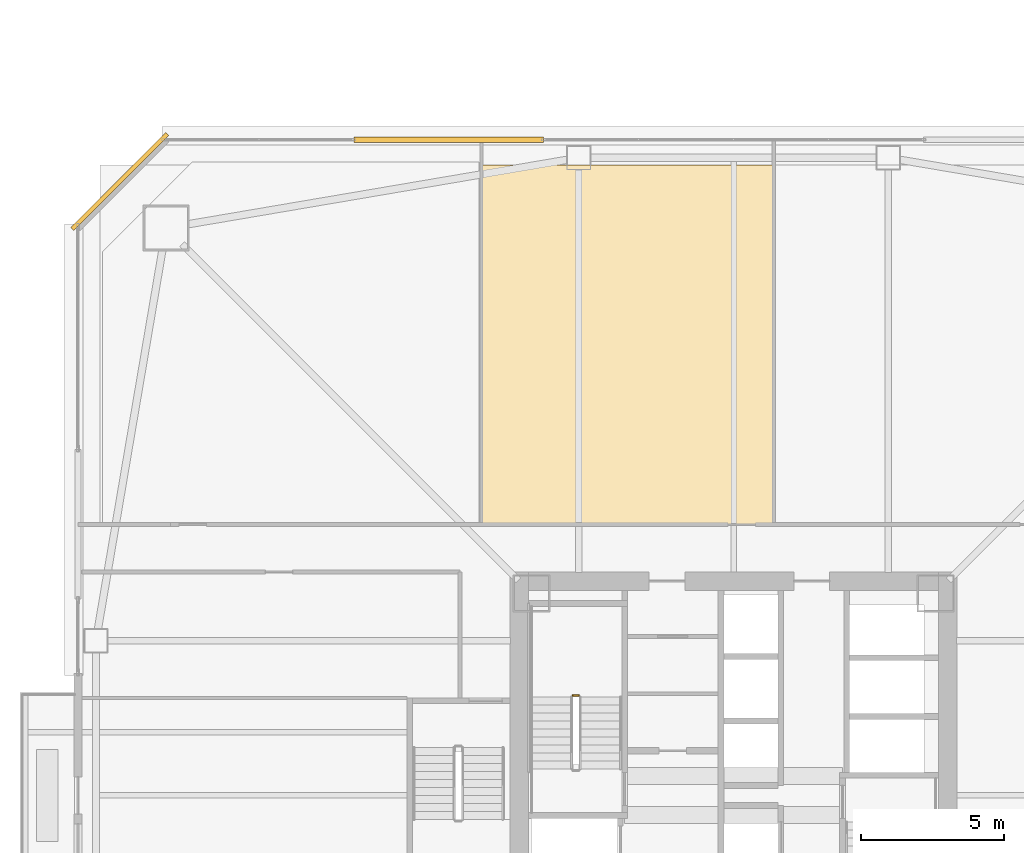
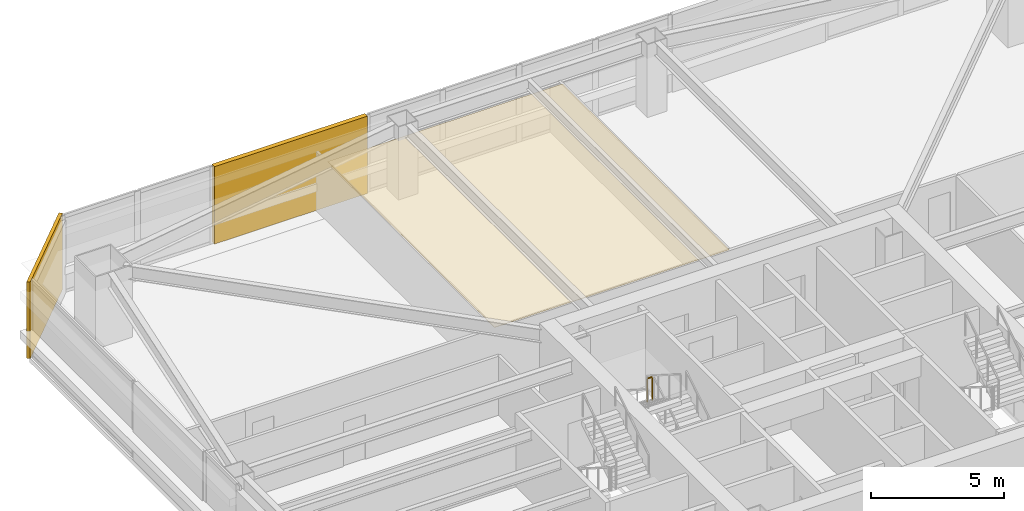
# One storey, part 43 of 47: 3 coverings, 1 railing.
"""IFC4 building model written with IfcOpenShell, lengths in metres."""

from ifc_helpers import new_model, si_unit, direction, frame, origin, origin_2d, place, context, subcontext, project, spatial, polyline, rectangle, outline, extrude, material, layer, layer_set, type_object, element, save


model = new_model("IFC4")

# Units and contexts
model_context = context("Model", 3, precision=1e-05, world=origin(), true_north=direction((0.0, 1.0)))
body_context = subcontext(model_context, "Body", "Model", "MODEL_VIEW")
ifc_project = project(units=[si_unit("LENGTHUNIT", "METRE"), si_unit("AREAUNIT", "SQUARE_METRE"), si_unit("VOLUMEUNIT", "CUBIC_METRE"), si_unit("PLANEANGLEUNIT", "RADIAN"), si_unit("MASSUNIT", "GRAM", prefix="KILO")], contexts=[model_context])

# Site, building, storey
site_placement = place(None, origin())
site = spatial("IfcSite", under=ifc_project, at=site_placement, CompositionType="ELEMENT")
building_placement = place(site_placement, origin())
building = spatial("IfcBuilding", under=site, at=building_placement, Name="Tashvorn Skyway Center", CompositionType="ELEMENT")
storey_placement = place(building_placement, frame((0.0, 0.0, 42.35009765625)))
storey = spatial("IfcBuildingStorey", under=building, at=storey_placement, Name="L10", CompositionType="ELEMENT", Elevation=42.35009765625)

# Coverings
ifc_material_1 = material(Name="Precast concrete C40/50", Category="concrete")
ifc_layer_1 = layer(ifc_material_1, 0.199951171875)
ifc_layer_set_1 = layer_set([ifc_layer_1], Name="Precast concrete C40/50")
covering_type_1 = type_object("IfcCoveringType", Name="COV-BRACE-CLAD", PredefinedType="CLADDING", material=ifc_layer_set_1)
covering_1_placement = place(storey_placement, frame((32.06005859375, 54.8798828125, 0.0), z_axis=(0.0, 0.0, 1.0), x_axis=(1.0, 0.0, 0.0)))
element("IfcCovering", 1, at=covering_1_placement, inside=storey, type_object=covering_type_1, Name="Tower 1 L10 North Unitised Curtain Wall Mega-Brace Cladding Band 1", PredefinedType="CLADDING", context=body_context, shape_type="SweptSolid", body=[
    extrude(rectangle(XDim=6.626708984375, YDim=0.199951171875, at=origin_2d()), origin(), (0.0, 0.0, 1.0), 3.550048828125),
])
ifc_material_2 = material(Name="Mineral-fibre acoustic ceiling tile on suspended grid")
ifc_layer_2 = layer(ifc_material_2, 0.02001953125)
ifc_layer_set_2 = layer_set([ifc_layer_2], Name="Mineral-fibre acoustic ceiling tile on suspended grid")
covering_type_2 = type_object("IfcCoveringType", Name="COV-CEIL-20", PredefinedType="CEILING", material=ifc_layer_set_2)
covering_2_placement = place(storey_placement, frame((0.0, 0.0, 2.682861328125)))
element("IfcCovering", 2, at=covering_2_placement, inside=storey, type_object=covering_type_2, Name="Tower 1 L10 Executive Suite Acoustic Ceiling", PredefinedType="CEILING", context=body_context, shape_type="SweptSolid", body=[
    extrude(outline(polyline([(33.199951171875, 41.449951171875), (43.39990234375, 41.449951171875), (43.39990234375, 54.0), (33.199951171875, 54.0), (33.199951171875, 41.449951171875)])), origin(), (0.0, 0.0, 1.0), 0.02001953125),
])
ifc_layer_3 = layer(ifc_material_1, 0.35009765625)
ifc_layer_set_3 = layer_set([ifc_layer_3], Name="Precast concrete C40/50")
covering_type_3 = type_object("IfcCoveringType", Name="COV-STONE-TRIM", PredefinedType="CLADDING", material=ifc_layer_set_3)
covering_3_placement = place(storey_placement, frame((20.580078125, 53.419921875, 0.02001953125), z_axis=(0.0, 0.0, 1.0), x_axis=(-0.707106781187, -0.707106781187, 0.0)))
element("IfcCovering", 3, at=covering_3_placement, inside=storey, type_object=covering_type_3, Name="Tower 1 L10 NW Mojave Limestone Corner Quoin", PredefinedType="CLADDING", context=body_context, shape_type="SweptSolid", body=[
    extrude(rectangle(XDim=4.685546875, YDim=0.139892578125, at=origin_2d()), origin(), (0.0, 0.0, 1.0), 3.510009765625),
])

# Railing
ifc_material_3 = material(Name="Painted galvanized steel S355", Category="steel")
railing_type = type_object("IfcRailingType", Name="RAIL-STGUARD-1100", PredefinedType="GUARDRAIL", material=ifc_material_3)
railing_placement = place(storey_placement, frame((36.60009765625, 35.489990234375, 1.77490234375)))
element("IfcRailing", 4, at=railing_placement, inside=storey, type_object=railing_type, Name="L10 ST-T1-1 stair guard 2", PredefinedType="GUARDRAIL", context=body_context, shape_type="SweptSolid", body=[
    extrude(rectangle(XDim=0.048095703125, YDim=0.048095703125, at=origin_2d()), frame((0.0, 0.0, 1.076171875), z_axis=(-1.0, 0.0, 0.0), x_axis=(0.0, -1.0, 0.0)), (0.0, 0.0, 1.0), 0.2001953125),
    extrude(rectangle(XDim=0.0419921875, YDim=0.0419921875, at=origin_2d()), origin(), (0.0, 0.0, 1.0), 1.052001953125),
    extrude(rectangle(XDim=0.0419921875, YDim=0.0419921875, at=origin_2d()), frame((-0.2001953125, 0.0, 0.0)), (0.0, 0.0, 1.0), 1.052001953125),
])

save(model, "model.ifc")
